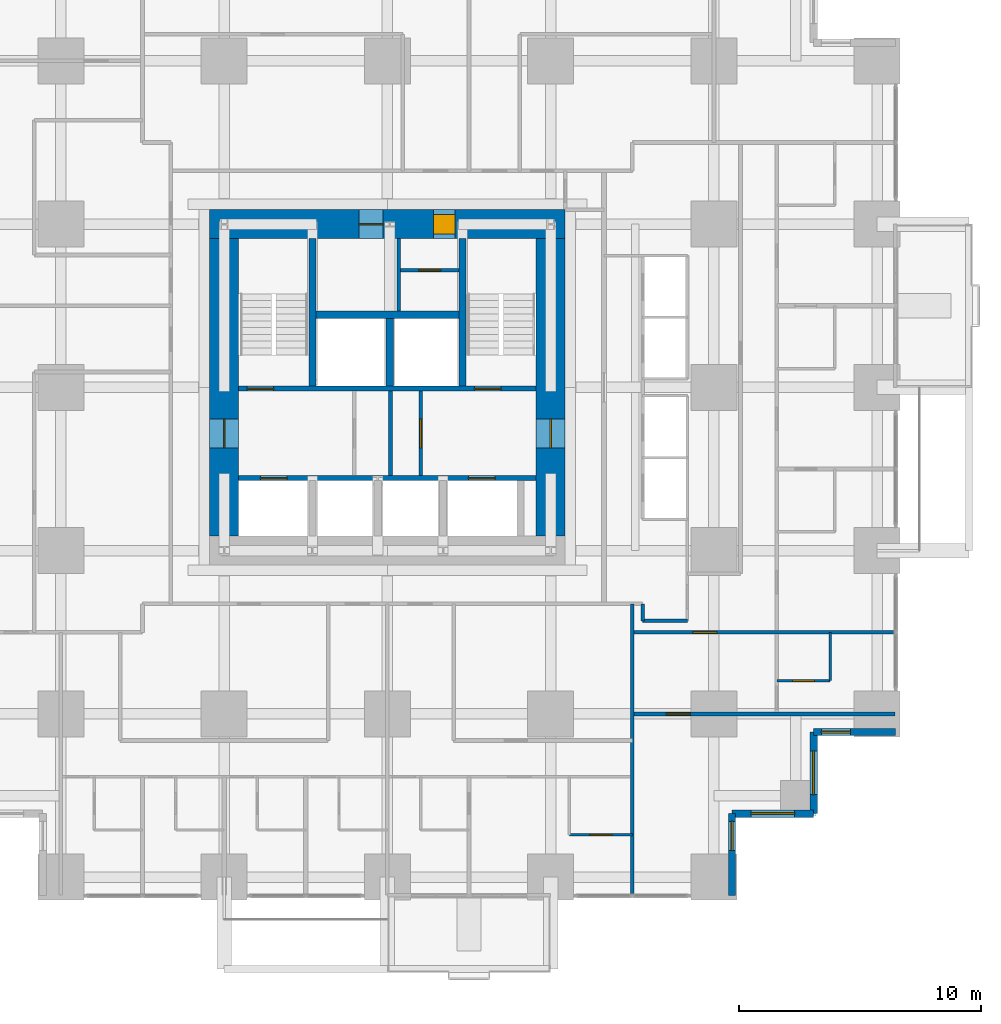
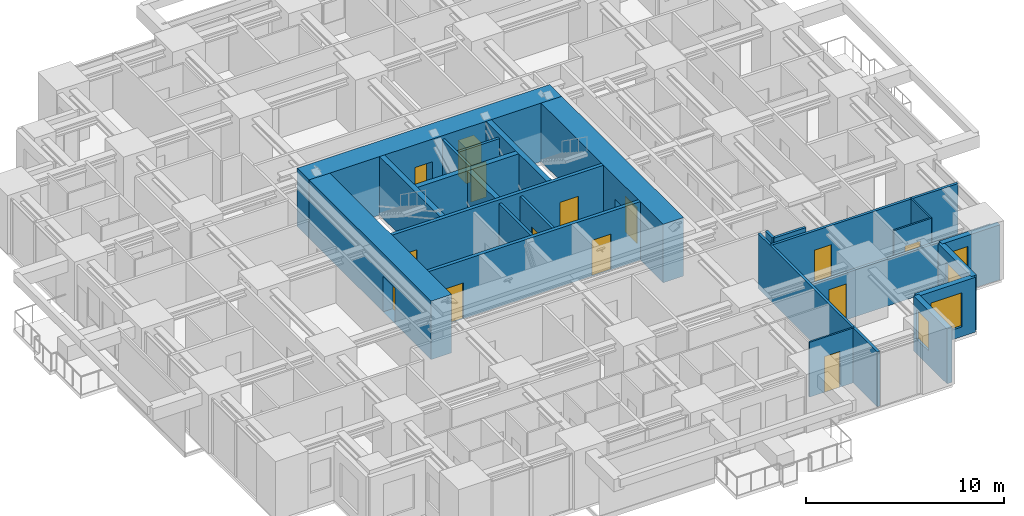
# One storey, part 10 of 14: 25 walls, 14 doors, 4 windows, 18 openings.
"""IFC4 building model written with IfcOpenShell, lengths in metres."""

from ifc_helpers import new_model, si_unit, direction, frame, frame_2d, origin, place, context, subcontext, project, spatial, rectangle, extrude, material, layer, layer_set, type_object, element, fill, save


model = new_model("IFC4")

# Units and contexts
model_context = context("Model", 3, precision=1e-05, world=origin(), true_north=direction((0.0, 1.0)))
body_context = subcontext(model_context, "Body", "Model", "MODEL_VIEW")
ifc_project = project(units=[si_unit("LENGTHUNIT", "METRE"), si_unit("AREAUNIT", "SQUARE_METRE"), si_unit("VOLUMEUNIT", "CUBIC_METRE"), si_unit("PLANEANGLEUNIT", "RADIAN"), si_unit("MASSUNIT", "GRAM", prefix="KILO")], contexts=[model_context])

# Site, building, storey
site_placement = place(None, origin())
site = spatial("IfcSite", under=ifc_project, at=site_placement, CompositionType="ELEMENT")
building_placement = place(site_placement, origin())
building = spatial("IfcBuilding", under=site, at=building_placement, Name="Nyansa Garden Tower", CompositionType="ELEMENT")
storey_placement = place(building_placement, frame((0.0, 0.0, 43.199951171875)))
storey = spatial("IfcBuildingStorey", under=building, at=storey_placement, Name="L11", CompositionType="ELEMENT", Elevation=43.199951171875)

# Wall, openings, doors
ifc_material_1 = material(Name="Concrete C70/85", Category="concrete")
ifc_layer_1 = layer(ifc_material_1, 0.199951171875)
ifc_layer_set_1 = layer_set([ifc_layer_1], Name="Core inner wall CI200")
wall_type_1 = type_object("IfcWallType", Name="Core inner wall CI200", PredefinedType="SHEAR", material=ifc_layer_set_1)
wall_1_placement = place(storey_placement, frame((14.10009765625, 16.5, 0.0), z_axis=(0.0, 0.0, 1.0), x_axis=(1.0, 0.0, 0.0)))
wall_1 = element("IfcWall", 1, at=wall_1_placement, inside=storey, type_object=wall_type_1, Name="Core inner wall L11", PredefinedType="SHEAR", context=body_context, shape_type="SweptSolid", body=[
    extrude(rectangle(XDim=12.2998046875, YDim=0.199951171875, at=frame_2d((6.14990234375, 0.0))), origin(), (0.0, 0.0, 1.0), 3.60009765625),
])
opening_1_placement = place(wall_1_placement, frame((0.89990234375, 0.0, 0.0)))
opening_1 = element("IfcOpeningElement", 2, at=opening_1_placement, cuts=wall_1, Name="Opening LD-F", PredefinedType="OPENING", context=body_context, shape_type="SweptSolid", body=[
    extrude(rectangle(XDim=1.10009765625, YDim=2.199951171875, at=frame_2d((0.550048828125, 1.10009765625))), frame((0.0, 0.10986328125, 0.0), z_axis=(0.0, -1.0, 0.0), x_axis=(1.0, 0.0, 0.0)), (0.0, 0.0, 1.0), 0.219970703125),
])
opening_2_placement = place(wall_1_placement, frame((9.5, 0.0, 0.0)))
opening_2 = element("IfcOpeningElement", 3, at=opening_2_placement, cuts=wall_1, Name="Opening LD-F", PredefinedType="OPENING", context=body_context, shape_type="SweptSolid", body=[
    extrude(rectangle(XDim=1.10009765625, YDim=2.199951171875, at=frame_2d((0.550048828125, 1.10009765625))), frame((0.0, 0.10986328125, 0.0), z_axis=(0.0, -1.0, 0.0), x_axis=(1.0, 0.0, 0.0)), (0.0, 0.0, 1.0), 0.219970703125),
])
ifc_material_2 = material(Name="Stainless steel centre-opening landing door of the firefighting lift, EN 81-72, E 120", Category="steel")
door_type_1 = type_object("IfcDoorType", Name="Lift landing door LD-F 1100x2200", OperationType="DOUBLE_DOOR_SLIDING", PredefinedType="DOOR", material=ifc_material_2)
door_1_placement = place(opening_1_placement, origin())
door_1 = element("IfcDoor", 4, at=door_1_placement, inside=storey, type_object=door_type_1, Name="Landing door FF1", OperationType="DOUBLE_DOOR_SLIDING", OverallHeight=2.199951171875, OverallWidth=1.10009765625, PredefinedType="DOOR", context=body_context, shape_type="SweptSolid", body=[
    extrude(rectangle(XDim=1.10009765625, YDim=2.199951171875, at=frame_2d((0.550048828125, 1.10009765625))), frame((0.0, 0.02490234375, 0.0), z_axis=(0.0, -1.0, 0.0), x_axis=(1.0, 0.0, 0.0)), (0.0, 0.0, 1.0), 0.050048828125),
])
fill(opening_1, door_1)
door_2_placement = place(opening_2_placement, origin())
door_2 = element("IfcDoor", 5, at=door_2_placement, inside=storey, type_object=door_type_1, Name="Landing door FF2", OperationType="DOUBLE_DOOR_SLIDING", OverallHeight=2.199951171875, OverallWidth=1.10009765625, PredefinedType="DOOR", context=body_context, shape_type="SweptSolid", body=[
    extrude(rectangle(XDim=1.10009765625, YDim=2.199951171875, at=frame_2d((0.550048828125, 1.10009765625))), frame((0.0, 0.02490234375, 0.0), z_axis=(0.0, -1.0, 0.0), x_axis=(1.0, 0.0, 0.0)), (0.0, 0.0, 1.0), 0.050048828125),
])
fill(opening_2, door_2)

wall_2_placement = place(storey_placement, frame((14.10009765625, 20.199951171875, 0.0), z_axis=(0.0, 0.0, 1.0), x_axis=(1.0, 0.0, 0.0)))
wall_2 = element("IfcWall", 6, at=wall_2_placement, inside=storey, type_object=wall_type_1, Name="Core inner wall L11", PredefinedType="SHEAR", context=body_context, shape_type="SweptSolid", body=[
    extrude(rectangle(XDim=12.2998046875, YDim=0.199951171875, at=frame_2d((6.14990234375, 0.0))), origin(), (0.0, 0.0, 1.0), 3.60009765625),
])
opening_3_placement = place(wall_2_placement, frame((0.35009765625, 0.0, 0.0)))
opening_3 = element("IfcOpeningElement", 7, at=opening_3_placement, cuts=wall_2, Name="Opening D05", PredefinedType="OPENING", context=body_context, shape_type="SweptSolid", body=[
    extrude(rectangle(XDim=1.10009765625, YDim=2.199951171875, at=frame_2d((0.550048828125, 1.10009765625))), frame((0.0, 0.10986328125, 0.0), z_axis=(0.0, -1.0, 0.0), x_axis=(1.0, 0.0, 0.0)), (0.0, 0.0, 1.0), 0.219970703125),
])
opening_4_placement = place(wall_2_placement, frame((9.75, 0.0, 0.0)))
opening_4 = element("IfcOpeningElement", 8, at=opening_4_placement, cuts=wall_2, Name="Opening D05", PredefinedType="OPENING", context=body_context, shape_type="SweptSolid", body=[
    extrude(rectangle(XDim=1.10009765625, YDim=2.199951171875, at=frame_2d((0.550048828125, 1.10009765625))), frame((0.0, 0.10986328125, 0.0), z_axis=(0.0, -1.0, 0.0), x_axis=(1.0, 0.0, 0.0)), (0.0, 0.0, 1.0), 0.219970703125),
])
ifc_material_3 = material(Name="Steel door, 120 minute fire resisting", Category="steel")
door_type_2 = type_object("IfcDoorType", Name="Stair door D05 1100x2200", OperationType="SINGLE_SWING_LEFT", PredefinedType="DOOR", material=ifc_material_3)
door_3_placement = place(opening_3_placement, origin())
door_3 = element("IfcDoor", 9, at=door_3_placement, inside=storey, type_object=door_type_2, Name="Stair S1 door", OperationType="SINGLE_SWING_LEFT", OverallHeight=2.199951171875, OverallWidth=1.10009765625, PredefinedType="DOOR", context=body_context, shape_type="SweptSolid", body=[
    extrude(rectangle(XDim=1.10009765625, YDim=2.199951171875, at=frame_2d((0.550048828125, 1.10009765625))), frame((0.0, 0.02490234375, 0.0), z_axis=(0.0, -1.0, 0.0), x_axis=(1.0, 0.0, 0.0)), (0.0, 0.0, 1.0), 0.050048828125),
])
fill(opening_3, door_3)
door_4_placement = place(opening_4_placement, origin())
door_4 = element("IfcDoor", 10, at=door_4_placement, inside=storey, type_object=door_type_2, Name="Stair S2 door", OperationType="SINGLE_SWING_LEFT", OverallHeight=2.199951171875, OverallWidth=1.10009765625, PredefinedType="DOOR", context=body_context, shape_type="SweptSolid", body=[
    extrude(rectangle(XDim=1.10009765625, YDim=2.199951171875, at=frame_2d((0.550048828125, 1.10009765625))), frame((0.0, 0.02490234375, 0.0), z_axis=(0.0, -1.0, 0.0), x_axis=(1.0, 0.0, 0.0)), (0.0, 0.0, 1.0), 0.050048828125),
])
fill(opening_4, door_4)

# Walls
ifc_material_4 = material(Name="Concrete C70/85", Category="concrete")
ifc_layer_2 = layer(ifc_material_4, 0.300048828125)
ifc_layer_set_2 = layer_set([ifc_layer_2], Name="Core inner wall CI300")
wall_type_2 = type_object("IfcWallType", Name="Core inner wall CI300", PredefinedType="SHEAR", material=ifc_layer_set_2)
for number, where, z_axis, x_axis, name in (
    (11, (17.14990234375, 20.300048828125, 0.0), (0.0, 0.0, 1.0), (0.0, 1.0, 0.0), "Core inner wall L11"),
    (12, (23.35009765625, 20.300048828125, 0.0), (0.0, 0.0, 1.0), (0.0, 1.0, 0.0), "Core inner wall L11"),
):
    element("IfcWall", number, at=place(storey_placement, frame(where, z_axis=z_axis, x_axis=x_axis)), inside=storey, type_object=wall_type_2, Name=name, PredefinedType="SHEAR", context=body_context, shape_type="SweptSolid", body=[
        extrude(rectangle(XDim=6.099853515625, YDim=0.300048828125, at=frame_2d((3.0498046875, 0.0))), origin(), (0.0, 0.0, 1.0), 3.60009765625),
    ])
wall_3_placement = place(storey_placement, frame((20.35009765625, 20.300048828125, 0.0), z_axis=(0.0, 0.0, 1.0), x_axis=(0.0, 1.0, 0.0)))
element("IfcWall", 13, at=wall_3_placement, inside=storey, type_object=wall_type_2, Name="Core inner wall L11", PredefinedType="SHEAR", context=body_context, shape_type="SweptSolid", body=[
    extrude(rectangle(XDim=2.800048828125, YDim=0.300048828125, at=frame_2d((1.39990234375, 0.0))), origin(), (0.0, 0.0, 1.0), 3.60009765625),
])
wall_4_placement = place(storey_placement, frame((17.300048828125, 23.25, 0.0), z_axis=(0.0, 0.0, 1.0), x_axis=(1.0, 0.0, 0.0)))
element("IfcWall", 14, at=wall_4_placement, inside=storey, type_object=wall_type_2, Name="Core inner wall L11", PredefinedType="SHEAR", context=body_context, shape_type="SweptSolid", body=[
    extrude(rectangle(XDim=5.89990234375, YDim=0.300048828125, at=frame_2d((2.949951171875, 0.0))), origin(), (0.0, 0.0, 1.0), 3.60009765625),
])

# Wall, opening, door
ifc_material_5 = material(Name="Concrete C80/95", Category="concrete")
ifc_layer_3 = layer(ifc_material_5, 1.199951171875)
ifc_layer_set_3 = layer_set([ifc_layer_3], Name="Core wall CW1200")
wall_type_3 = type_object("IfcWallType", Name="Core wall CW1200", PredefinedType="SHEAR", material=ifc_layer_set_3)
wall_5_placement = place(storey_placement, frame((27.0, 14.10009765625, 0.0), z_axis=(0.0, 0.0, 1.0), x_axis=(0.0, 1.0, 0.0)))
wall_5 = element("IfcWall", 15, at=wall_5_placement, inside=storey, type_object=wall_type_3, Name="Core wall E L11", PredefinedType="SHEAR", context=body_context, shape_type="SweptSolid", body=[
    extrude(rectangle(XDim=12.2998046875, YDim=1.199951171875, at=frame_2d((6.14990234375, 0.0))), origin(), (0.0, 0.0, 1.0), 3.60009765625),
])
opening_5_placement = place(wall_5_placement, frame((3.64990234375, 0.0, 0.0)))
opening_5 = element("IfcOpeningElement", 16, at=opening_5_placement, cuts=wall_5, Name="Opening D06", PredefinedType="OPENING", context=body_context, shape_type="SweptSolid", body=[
    extrude(rectangle(XDim=1.199951171875, YDim=2.199951171875, at=frame_2d((0.60009765625, 1.10009765625))), frame((0.0, 0.60986328125, 0.0), z_axis=(0.0, -1.0, 0.0), x_axis=(1.0, 0.0, 0.0)), (0.0, 0.0, 1.0), 1.219970703125),
])
ifc_material_6 = material(Name="Steel door, 120 minute fire resisting", Category="steel")
door_type_3 = type_object("IfcDoorType", Name="Lobby door D06 1200x2200", OperationType="DOUBLE_DOOR_SINGLE_SWING", PredefinedType="DOOR", material=ifc_material_6)
door_5_placement = place(opening_5_placement, origin())
door_5 = element("IfcDoor", 17, at=door_5_placement, inside=storey, type_object=door_type_3, Name="Lift lobby door east", OperationType="DOUBLE_DOOR_SINGLE_SWING", OverallHeight=2.199951171875, OverallWidth=1.199951171875, PredefinedType="DOOR", context=body_context, shape_type="SweptSolid", body=[
    extrude(rectangle(XDim=1.199951171875, YDim=2.199951171875, at=frame_2d((0.60009765625, 1.10009765625))), frame((0.0, 0.02490234375, 0.0), z_axis=(0.0, -1.0, 0.0), x_axis=(1.0, 0.0, 0.0)), (0.0, 0.0, 1.0), 0.050048828125),
])
fill(opening_5, door_5)

# Wall, openings, doors
wall_6_placement = place(storey_placement, frame((27.60009765625, 27.0, 0.0), z_axis=(0.0, 0.0, 1.0), x_axis=(-1.0, 0.0, 0.0)))
wall_6 = element("IfcWall", 18, at=wall_6_placement, inside=storey, type_object=wall_type_3, Name="Core wall N L11", PredefinedType="SHEAR", context=body_context, shape_type="SweptSolid", body=[
    extrude(rectangle(XDim=14.7001953125, YDim=1.199951171875, at=frame_2d((7.35009765625, 0.0))), origin(), (0.0, 0.0, 1.0), 3.60009765625),
])
opening_6_placement = place(wall_6_placement, frame((4.550048828125, 0.0, 0.0)))
opening_6 = element("IfcOpeningElement", 19, at=opening_6_placement, cuts=wall_6, Name="Opening D15", PredefinedType="OPENING", context=body_context, shape_type="SweptSolid", body=[
    extrude(rectangle(XDim=0.89990234375, YDim=2.199951171875, at=frame_2d((0.449951171875, 1.10009765625))), frame((0.0, 0.60986328125, 0.0), z_axis=(0.0, -1.0, 0.0), x_axis=(1.0, 0.0, 0.0)), (0.0, 0.0, 1.0), 1.219970703125),
])
opening_7_placement = place(wall_6_placement, frame((7.52490234375, 0.0, 0.0)))
opening_7 = element("IfcOpeningElement", 20, at=opening_7_placement, cuts=wall_6, Name="Opening D07", PredefinedType="OPENING", context=body_context, shape_type="SweptSolid", body=[
    extrude(rectangle(XDim=1.0, YDim=2.199951171875, at=frame_2d((0.5, 1.10009765625))), frame((0.0, 0.60986328125, 0.0), z_axis=(0.0, -1.0, 0.0), x_axis=(1.0, 0.0, 0.0)), (0.0, 0.0, 1.0), 1.219970703125),
])
ifc_material_7 = material(Name="Timber flush door, 60 minute fire resisting, self-closing", Category="wood")
door_type_4 = type_object("IfcDoorType", Name="Core room door D15 900x2200", OperationType="SINGLE_SWING_LEFT", PredefinedType="DOOR", material=ifc_material_7)
door_6_placement = place(opening_6_placement, origin())
door_6 = element("IfcDoor", 21, at=door_6_placement, inside=storey, type_object=door_type_4, Name="Core room door", OperationType="SINGLE_SWING_LEFT", OverallHeight=2.199951171875, OverallWidth=0.89990234375, PredefinedType="DOOR", context=body_context, shape_type="SweptSolid", body=[
    extrude(rectangle(XDim=0.89990234375, YDim=2.199951171875, at=frame_2d((0.449951171875, 1.10009765625))), frame((0.0, 0.39990234375, 0.0), z_axis=(0.0, -1.0, 0.0), x_axis=(1.0, 0.0, 0.0)), (0.0, 0.0, 1.0), 0.800048828125),
])
fill(opening_6, door_6)
ifc_material_8 = material(Name="Steel door, 120 minute fire resisting", Category="steel")
door_type_5 = type_object("IfcDoorType", Name="Riser door D07 1000x2200", OperationType="SINGLE_SWING_LEFT", PredefinedType="DOOR", material=ifc_material_8)
door_7_placement = place(opening_7_placement, origin())
door_7 = element("IfcDoor", 22, at=door_7_placement, inside=storey, type_object=door_type_5, Name="Riser and refuse room door", OperationType="SINGLE_SWING_LEFT", OverallHeight=2.199951171875, OverallWidth=1.0, PredefinedType="DOOR", context=body_context, shape_type="SweptSolid", body=[
    extrude(rectangle(XDim=1.0, YDim=2.199951171875, at=frame_2d((0.5, 1.10009765625))), frame((0.0, 0.02490234375, 0.0), z_axis=(0.0, -1.0, 0.0), x_axis=(1.0, 0.0, 0.0)), (0.0, 0.0, 1.0), 0.050048828125),
])
fill(opening_7, door_7)

# Wall, opening, door
wall_7_placement = place(storey_placement, frame((13.5, 26.39990234375, 0.0), z_axis=(0.0, 0.0, 1.0), x_axis=(0.0, -1.0, 0.0)))
wall_7 = element("IfcWall", 23, at=wall_7_placement, inside=storey, type_object=wall_type_3, Name="Core wall W L11", PredefinedType="SHEAR", context=body_context, shape_type="SweptSolid", body=[
    extrude(rectangle(XDim=12.2998046875, YDim=1.199951171875, at=frame_2d((6.14990234375, 0.0))), origin(), (0.0, 0.0, 1.0), 3.60009765625),
])
opening_8_placement = place(wall_7_placement, frame((7.449951171875, 0.0, 0.0)))
opening_8 = element("IfcOpeningElement", 24, at=opening_8_placement, cuts=wall_7, Name="Opening D06", PredefinedType="OPENING", context=body_context, shape_type="SweptSolid", body=[
    extrude(rectangle(XDim=1.199951171875, YDim=2.199951171875, at=frame_2d((0.60009765625, 1.10009765625))), frame((0.0, 0.60986328125, 0.0), z_axis=(0.0, -1.0, 0.0), x_axis=(1.0, 0.0, 0.0)), (0.0, 0.0, 1.0), 1.219970703125),
])
door_8_placement = place(opening_8_placement, origin())
door_8 = element("IfcDoor", 25, at=door_8_placement, inside=storey, type_object=door_type_3, Name="Lift lobby door west", OperationType="DOUBLE_DOOR_SINGLE_SWING", OverallHeight=2.199951171875, OverallWidth=1.199951171875, PredefinedType="DOOR", context=body_context, shape_type="SweptSolid", body=[
    extrude(rectangle(XDim=1.199951171875, YDim=2.199951171875, at=frame_2d((0.60009765625, 1.10009765625))), frame((0.0, 0.02490234375, 0.0), z_axis=(0.0, -1.0, 0.0), x_axis=(1.0, 0.0, 0.0)), (0.0, 0.0, 1.0), 0.050048828125),
])
fill(opening_8, door_8)

ifc_material_9 = material(Name="Blockwork, plastered both sides", Category="masonry")
ifc_layer_4 = layer(ifc_material_9, 0.14990234375)
ifc_layer_set_4 = layer_set([ifc_layer_4], Name="Partition PW150")
wall_type_4 = type_object("IfcWallType", Name="Partition PW150", PredefinedType="PARTITIONING", material=ifc_layer_set_4)
wall_8_placement = place(storey_placement, frame((21.625, 16.60009765625, 0.0), z_axis=(0.0, 0.0, 1.0), x_axis=(0.0, 1.0, 0.0)))
wall_8 = element("IfcWall", 26, at=wall_8_placement, inside=storey, type_object=wall_type_4, Name="Partition", PredefinedType="PARTITIONING", context=body_context, shape_type="SweptSolid", body=[
    extrude(rectangle(XDim=3.5, YDim=0.14990234375, at=frame_2d((1.75, 0.0))), origin(), (0.0, 0.0, 1.0), 3.375),
])
opening_9_placement = place(wall_8_placement, frame((1.14990234375, 0.0, 0.0)))
opening_9 = element("IfcOpeningElement", 27, at=opening_9_placement, cuts=wall_8, Name="Opening D06", PredefinedType="OPENING", context=body_context, shape_type="SweptSolid", body=[
    extrude(rectangle(XDim=1.199951171875, YDim=2.199951171875, at=frame_2d((0.60009765625, 1.10009765625))), frame((0.0, 0.0849609375, 0.0), z_axis=(0.0, -1.0, 0.0), x_axis=(1.0, 0.0, 0.0)), (0.0, 0.0, 1.0), 0.169921875),
])
door_9_placement = place(opening_9_placement, origin())
door_9 = element("IfcDoor", 28, at=door_9_placement, inside=storey, type_object=door_type_3, Name="Passenger lift lobby door", OperationType="DOUBLE_DOOR_SINGLE_SWING", OverallHeight=2.199951171875, OverallWidth=1.199951171875, PredefinedType="DOOR", context=body_context, shape_type="SweptSolid", body=[
    extrude(rectangle(XDim=1.199951171875, YDim=2.199951171875, at=frame_2d((0.60009765625, 1.10009765625))), frame((0.0, 0.02490234375, 0.0), z_axis=(0.0, -1.0, 0.0), x_axis=(1.0, 0.0, 0.0)), (0.0, 0.0, 1.0), 0.050048828125),
])
fill(opening_9, door_9)

# Walls
wall_9_placement = place(storey_placement, frame((20.3798828125, 16.60009765625, 0.0), z_axis=(0.0, 0.0, 1.0), x_axis=(0.0, 1.0, 0.0)))
element("IfcWall", 29, at=wall_9_placement, inside=storey, type_object=wall_type_4, Name="Partition", PredefinedType="PARTITIONING", context=body_context, shape_type="SweptSolid", body=[
    extrude(rectangle(XDim=3.5, YDim=0.14990234375, at=frame_2d((1.75, 0.0))), origin(), (0.0, 0.0, 1.0), 3.375),
])
wall_10_placement = place(storey_placement, frame((20.72509765625, 23.39990234375, 0.0), z_axis=(0.0, 0.0, 1.0), x_axis=(0.0, 1.0, 0.0)))
element("IfcWall", 30, at=wall_10_placement, inside=storey, type_object=wall_type_4, Name="Partition", PredefinedType="PARTITIONING", context=body_context, shape_type="SweptSolid", body=[
    extrude(rectangle(XDim=3.0, YDim=0.14990234375, at=frame_2d((1.5, 0.0))), origin(), (0.0, 0.0, 1.0), 3.375),
])

# Wall, opening, door
wall_11_placement = place(storey_placement, frame((20.800048828125, 25.10009765625, 0.0), z_axis=(0.0, 0.0, 1.0), x_axis=(1.0, 0.0, 0.0)))
wall_11 = element("IfcWall", 31, at=wall_11_placement, inside=storey, type_object=wall_type_4, Name="Partition", PredefinedType="PARTITIONING", context=body_context, shape_type="SweptSolid", body=[
    extrude(rectangle(XDim=2.39990234375, YDim=0.14990234375, at=frame_2d((1.199951171875, 0.0))), origin(), (0.0, 0.0, 1.0), 3.375),
])
opening_10_placement = place(wall_11_placement, frame((0.75, 0.0, 0.0)))
opening_10 = element("IfcOpeningElement", 32, at=opening_10_placement, cuts=wall_11, Name="Opening D02", PredefinedType="OPENING", context=body_context, shape_type="SweptSolid", body=[
    extrude(rectangle(XDim=0.89990234375, YDim=2.199951171875, at=frame_2d((0.449951171875, 1.10009765625))), frame((0.0, 0.0849609375, 0.0), z_axis=(0.0, -1.0, 0.0), x_axis=(1.0, 0.0, 0.0)), (0.0, 0.0, 1.0), 0.169921875),
])
ifc_material_10 = material(Name="Timber flush door", Category="wood")
door_type_6 = type_object("IfcDoorType", Name="En-suite door D02 900x2200", OperationType="SINGLE_SWING_RIGHT", PredefinedType="DOOR", material=ifc_material_10)
door_10_placement = place(opening_10_placement, origin())
door_10 = element("IfcDoor", 33, at=door_10_placement, inside=storey, type_object=door_type_6, Name="Staff WC door", OperationType="SINGLE_SWING_RIGHT", OverallHeight=2.199951171875, OverallWidth=0.89990234375, PredefinedType="DOOR", context=body_context, shape_type="SweptSolid", body=[
    extrude(rectangle(XDim=0.89990234375, YDim=2.199951171875, at=frame_2d((0.449951171875, 1.10009765625))), frame((0.0, 0.02490234375, 0.0), z_axis=(0.0, -1.0, 0.0), x_axis=(1.0, 0.0, 0.0)), (0.0, 0.0, 1.0), 0.050048828125),
])
fill(opening_10, door_10)

# Wall
wall_12_placement = place(storey_placement, frame((30.375, -0.73388671875, 0.0), z_axis=(0.0, 0.0, 1.0), x_axis=(0.0, 1.0, 0.0)))
element("IfcWall", 34, at=wall_12_placement, inside=storey, type_object=wall_type_4, Name="Partition", PredefinedType="PARTITIONING", context=body_context, shape_type="SweptSolid", body=[
    extrude(rectangle(XDim=12.033935546875, YDim=0.14990234375, at=frame_2d((6.01708984375, 0.0))), origin(), (0.0, 0.0, 1.0), 3.375),
])

# Wall, opening, door
wall_13_placement = place(storey_placement, frame((30.375, 6.75, 0.0), z_axis=(0.0, 0.0, 1.0), x_axis=(1.0, 0.0, 0.0)))
wall_13 = element("IfcWall", 35, at=wall_13_placement, inside=storey, type_object=wall_type_4, Name="Partition", PredefinedType="PARTITIONING", context=body_context, shape_type="SweptSolid", body=[
    extrude(rectangle(XDim=10.85888671875, YDim=0.14990234375, at=frame_2d((5.429443359375, 0.0))), origin(), (0.0, 0.0, 1.0), 2.876953125),
])
opening_11_placement = place(wall_13_placement, frame((1.39990234375, 0.0, 0.0)))
opening_11 = element("IfcOpeningElement", 36, at=opening_11_placement, cuts=wall_13, Name="Opening D03", PredefinedType="OPENING", context=body_context, shape_type="SweptSolid", body=[
    extrude(rectangle(XDim=1.0, YDim=2.199951171875, at=frame_2d((0.5, 1.10009765625))), frame((0.0, 0.0849609375, 0.0), z_axis=(0.0, -1.0, 0.0), x_axis=(1.0, 0.0, 0.0)), (0.0, 0.0, 1.0), 0.169921875),
])
ifc_material_11 = material(Name="Timber flush door, 60 minute fire resisting", Category="wood")
door_type_7 = type_object("IfcDoorType", Name="Cluster entrance door D03 1000x2200", OperationType="SINGLE_SWING_LEFT", PredefinedType="DOOR", material=ifc_material_11)
door_11_placement = place(opening_11_placement, origin())
door_11 = element("IfcDoor", 37, at=door_11_placement, inside=storey, type_object=door_type_7, Name="Door L11-036", OperationType="SINGLE_SWING_LEFT", OverallHeight=2.199951171875, OverallWidth=1.0, PredefinedType="DOOR", context=body_context, shape_type="SweptSolid", body=[
    extrude(rectangle(XDim=1.0, YDim=2.199951171875, at=frame_2d((0.5, 1.10009765625))), frame((0.0, 0.02490234375, 0.0), z_axis=(0.0, -1.0, 0.0), x_axis=(1.0, 0.0, 0.0)), (0.0, 0.0, 1.0), 0.050048828125),
])
fill(opening_11, door_11)

wall_14_placement = place(storey_placement, frame((30.375, 10.125, 0.0), z_axis=(0.0, 0.0, 1.0), x_axis=(1.0, 0.0, 0.0)))
wall_14 = element("IfcWall", 38, at=wall_14_placement, inside=storey, type_object=wall_type_4, Name="Partition", PredefinedType="PARTITIONING", context=body_context, shape_type="SweptSolid", body=[
    extrude(rectangle(XDim=10.85888671875, YDim=0.14990234375, at=frame_2d((5.429443359375, 0.0))), origin(), (0.0, 0.0, 1.0), 3.375),
])
opening_12_placement = place(wall_14_placement, frame((2.5, 0.0, 0.0)))
opening_12 = element("IfcOpeningElement", 39, at=opening_12_placement, cuts=wall_14, Name="Opening D03", PredefinedType="OPENING", context=body_context, shape_type="SweptSolid", body=[
    extrude(rectangle(XDim=1.0, YDim=2.199951171875, at=frame_2d((0.5, 1.10009765625))), frame((0.0, 0.0849609375, 0.0), z_axis=(0.0, -1.0, 0.0), x_axis=(1.0, 0.0, 0.0)), (0.0, 0.0, 1.0), 0.169921875),
])
door_12_placement = place(opening_12_placement, origin())
door_12 = element("IfcDoor", 40, at=door_12_placement, inside=storey, type_object=door_type_7, Name="Door L11-039", OperationType="SINGLE_SWING_LEFT", OverallHeight=2.199951171875, OverallWidth=1.0, PredefinedType="DOOR", context=body_context, shape_type="SweptSolid", body=[
    extrude(rectangle(XDim=1.0, YDim=2.199951171875, at=frame_2d((0.5, 1.10009765625))), frame((0.0, 0.02490234375, 0.0), z_axis=(0.0, -1.0, 0.0), x_axis=(1.0, 0.0, 0.0)), (0.0, 0.0, 1.0), 0.050048828125),
])
fill(opening_12, door_12)

# Walls
wall_15_placement = place(storey_placement, frame((30.800048828125, 10.60009765625, 0.0), z_axis=(0.0, 0.0, 1.0), x_axis=(0.0, 1.0, 0.0)))
element("IfcWall", 41, at=wall_15_placement, inside=storey, type_object=wall_type_4, Name="Partition", PredefinedType="PARTITIONING", context=body_context, shape_type="SweptSolid", body=[
    extrude(rectangle(XDim=0.699951171875, YDim=0.14990234375, at=frame_2d((0.35009765625, 0.0))), origin(), (0.0, 0.0, 1.0), 3.375),
])
wall_16_placement = place(storey_placement, frame((30.800048828125, 10.60009765625, 0.0), z_axis=(0.0, 0.0, 1.0), x_axis=(1.0, 0.0, 0.0)))
element("IfcWall", 42, at=wall_16_placement, inside=storey, type_object=wall_type_4, Name="Partition", PredefinedType="PARTITIONING", context=body_context, shape_type="SweptSolid", body=[
    extrude(rectangle(XDim=1.849853515625, YDim=0.14990234375, at=frame_2d((0.9248046875, 0.0))), origin(), (0.0, 0.0, 1.0), 3.375),
])

# Wall, opening, window
ifc_material_12 = material(Name="Turquoise glazed tile on concrete blockwork", Category="masonry")
ifc_layer_5 = layer(ifc_material_12, 0.300048828125)
ifc_layer_set_5 = layer_set([ifc_layer_5], Name="Tiled corner wall TW300")
wall_type_5 = type_object("IfcWallType", Name="Tiled corner wall TW300", PredefinedType="SOLIDWALL", material=ifc_layer_set_5)
wall_17_placement = place(storey_placement, frame((34.5, -0.75, 0.0), z_axis=(0.0, 0.0, 1.0), x_axis=(0.0, 1.0, 0.0)))
wall_17 = element("IfcWall", 43, at=wall_17_placement, inside=storey, type_object=wall_type_5, Name="Tiled corner wall L11", PredefinedType="SOLIDWALL", context=body_context, shape_type="SweptSolid", body=[
    extrude(rectangle(XDim=3.375, YDim=0.300048828125, at=frame_2d((1.6875, 0.0))), origin(), (0.0, 0.0, 1.0), 3.375),
])
opening_13_placement = place(wall_17_placement, frame((1.857421875, 0.0, 0.89990234375)))
opening_13 = element("IfcOpeningElement", 44, at=opening_13_placement, cuts=wall_17, Name="Opening W4", PredefinedType="OPENING", context=body_context, shape_type="SweptSolid", body=[
    extrude(rectangle(XDim=1.199951171875, YDim=1.800048828125, at=frame_2d((0.60009765625, 0.89990234375))), frame((0.0, 0.159912109375, 0.0), z_axis=(0.0, -1.0, 0.0), x_axis=(1.0, 0.0, 0.0)), (0.0, 0.0, 1.0), 0.320068359375),
])
ifc_material_13 = material(Name="Black aluminium frame, dark tinted double glazing", Category="aluminium")
window_type_1 = type_object("IfcWindowType", Name="Window W4 1200x1800", PartitioningType="SINGLE_PANEL", PredefinedType="WINDOW", material=ifc_material_13)
window_1_placement = place(opening_13_placement, origin())
window_1 = element("IfcWindow", 45, at=window_1_placement, inside=storey, type_object=window_type_1, Name="Corner window L11", OverallHeight=1.800048828125, OverallWidth=1.199951171875, PartitioningType="SINGLE_PANEL", PredefinedType="WINDOW", context=body_context, shape_type="SweptSolid", body=[
    extrude(rectangle(XDim=1.199951171875, YDim=1.800048828125, at=frame_2d((0.60009765625, 0.89990234375))), frame((0.0, 0.030029296875, 0.0), z_axis=(0.0, -1.0, 0.0), x_axis=(1.0, 0.0, 0.0)), (0.0, 0.0, 1.0), 0.06005859375),
])
fill(opening_13, window_1)

wall_18_placement = place(storey_placement, frame((34.5, 2.625, 0.0), z_axis=(0.0, 0.0, 1.0), x_axis=(1.0, 0.0, 0.0)))
wall_18 = element("IfcWall", 46, at=wall_18_placement, inside=storey, type_object=wall_type_5, Name="Tiled corner wall L11", PredefinedType="SOLIDWALL", context=body_context, shape_type="SweptSolid", body=[
    extrude(rectangle(XDim=3.375, YDim=0.300048828125, at=frame_2d((1.6875, 0.0))), origin(), (0.0, 0.0, 1.0), 3.375),
])
opening_14_placement = place(wall_18_placement, frame((0.78759765625, 0.0, 0.60009765625)))
opening_14 = element("IfcOpeningElement", 47, at=opening_14_placement, cuts=wall_18, Name="Opening W2", PredefinedType="OPENING", context=body_context, shape_type="SweptSolid", body=[
    extrude(rectangle(XDim=1.800048828125, YDim=2.10009765625, at=frame_2d((0.89990234375, 1.050048828125))), frame((0.0, 0.159912109375, 0.0), z_axis=(0.0, -1.0, 0.0), x_axis=(1.0, 0.0, 0.0)), (0.0, 0.0, 1.0), 0.320068359375),
])
ifc_material_14 = material(Name="Black aluminium frame, dark tinted double glazing", Category="aluminium")
window_type_2 = type_object("IfcWindowType", Name="Window W2 1800x2100", PartitioningType="SINGLE_PANEL", PredefinedType="WINDOW", material=ifc_material_14)
window_2_placement = place(opening_14_placement, origin())
window_2 = element("IfcWindow", 48, at=window_2_placement, inside=storey, type_object=window_type_2, Name="Corner window L11", OverallHeight=2.10009765625, OverallWidth=1.800048828125, PartitioningType="SINGLE_PANEL", PredefinedType="WINDOW", context=body_context, shape_type="SweptSolid", body=[
    extrude(rectangle(XDim=1.800048828125, YDim=2.10009765625, at=frame_2d((0.89990234375, 1.050048828125))), frame((0.0, 0.030029296875, 0.0), z_axis=(0.0, -1.0, 0.0), x_axis=(1.0, 0.0, 0.0)), (0.0, 0.0, 1.0), 0.06005859375),
])
fill(opening_14, window_2)

wall_19_placement = place(storey_placement, frame((37.875, 2.625, 0.0), z_axis=(0.0, 0.0, 1.0), x_axis=(0.0, 1.0, 0.0)))
wall_19 = element("IfcWall", 49, at=wall_19_placement, inside=storey, type_object=wall_type_5, Name="Tiled corner wall L11", PredefinedType="SOLIDWALL", context=body_context, shape_type="SweptSolid", body=[
    extrude(rectangle(XDim=3.375, YDim=0.300048828125, at=frame_2d((1.6875, 0.0))), origin(), (0.0, 0.0, 1.0), 3.375),
])
opening_15_placement = place(wall_19_placement, frame((0.78759765625, 0.0, 0.60009765625)))
opening_15 = element("IfcOpeningElement", 50, at=opening_15_placement, cuts=wall_19, Name="Opening W2", PredefinedType="OPENING", context=body_context, shape_type="SweptSolid", body=[
    extrude(rectangle(XDim=1.800048828125, YDim=2.10009765625, at=frame_2d((0.89990234375, 1.050048828125))), frame((0.0, 0.159912109375, 0.0), z_axis=(0.0, -1.0, 0.0), x_axis=(1.0, 0.0, 0.0)), (0.0, 0.0, 1.0), 0.320068359375),
])
window_3_placement = place(opening_15_placement, origin())
window_3 = element("IfcWindow", 51, at=window_3_placement, inside=storey, type_object=window_type_2, Name="Corner window L11", OverallHeight=2.10009765625, OverallWidth=1.800048828125, PartitioningType="SINGLE_PANEL", PredefinedType="WINDOW", context=body_context, shape_type="SweptSolid", body=[
    extrude(rectangle(XDim=1.800048828125, YDim=2.10009765625, at=frame_2d((0.89990234375, 1.050048828125))), frame((0.0, 0.030029296875, 0.0), z_axis=(0.0, -1.0, 0.0), x_axis=(1.0, 0.0, 0.0)), (0.0, 0.0, 1.0), 0.06005859375),
])
fill(opening_15, window_3)

wall_20_placement = place(storey_placement, frame((37.875, 6.0, 0.0), z_axis=(0.0, 0.0, 1.0), x_axis=(1.0, 0.0, 0.0)))
wall_20 = element("IfcWall", 52, at=wall_20_placement, inside=storey, type_object=wall_type_5, Name="Tiled corner wall L11", PredefinedType="SOLIDWALL", context=body_context, shape_type="SweptSolid", body=[
    extrude(rectangle(XDim=3.375, YDim=0.300048828125, at=frame_2d((1.6875, 0.0))), origin(), (0.0, 0.0, 1.0), 3.375),
])
opening_16_placement = place(wall_20_placement, frame((0.3173828125, 0.0, 0.89990234375)))
opening_16 = element("IfcOpeningElement", 53, at=opening_16_placement, cuts=wall_20, Name="Opening W4", PredefinedType="OPENING", context=body_context, shape_type="SweptSolid", body=[
    extrude(rectangle(XDim=1.199951171875, YDim=1.800048828125, at=frame_2d((0.60009765625, 0.89990234375))), frame((0.0, 0.159912109375, 0.0), z_axis=(0.0, -1.0, 0.0), x_axis=(1.0, 0.0, 0.0)), (0.0, 0.0, 1.0), 0.320068359375),
])
window_4_placement = place(opening_16_placement, origin())
window_4 = element("IfcWindow", 54, at=window_4_placement, inside=storey, type_object=window_type_1, Name="Corner window L11", OverallHeight=1.800048828125, OverallWidth=1.199951171875, PartitioningType="SINGLE_PANEL", PredefinedType="WINDOW", context=body_context, shape_type="SweptSolid", body=[
    extrude(rectangle(XDim=1.199951171875, YDim=1.800048828125, at=frame_2d((0.60009765625, 0.89990234375))), frame((0.0, 0.030029296875, 0.0), z_axis=(0.0, -1.0, 0.0), x_axis=(1.0, 0.0, 0.0)), (0.0, 0.0, 1.0), 0.06005859375),
])
fill(opening_16, window_4)

# Wall, opening, door
ifc_material_15 = material(Name="Moisture resistant board on steel studs, tiled", Category="steel")
ifc_layer_6 = layer(ifc_material_15, 0.10009765625)
ifc_layer_set_6 = layer_set([ifc_layer_6], Name="Wet wall PW100")
wall_type_6 = type_object("IfcWallType", Name="Wet wall PW100", PredefinedType="PARTITIONING", material=ifc_layer_set_6)
wall_21_placement = place(storey_placement, frame((27.77490234375, 1.75, 0.0), z_axis=(0.0, 0.0, 1.0), x_axis=(1.0, 0.0, 0.0)))
wall_21 = element("IfcWall", 55, at=wall_21_placement, inside=storey, type_object=wall_type_6, Name="Wet wall", PredefinedType="PARTITIONING", context=body_context, shape_type="SweptSolid", body=[
    extrude(rectangle(XDim=2.60009765625, YDim=0.10009765625, at=frame_2d((1.300048828125, 0.0))), origin(), (0.0, 0.0, 1.0), 3.375),
])
opening_17_placement = place(wall_21_placement, frame((0.85009765625, 0.0, 0.0)))
opening_17 = element("IfcOpeningElement", 56, at=opening_17_placement, cuts=wall_21, Name="Opening D02", PredefinedType="OPENING", context=body_context, shape_type="SweptSolid", body=[
    extrude(rectangle(XDim=0.89990234375, YDim=2.199951171875, at=frame_2d((0.449951171875, 1.10009765625))), frame((0.0, 0.06005859375, 0.0), z_axis=(0.0, -1.0, 0.0), x_axis=(1.0, 0.0, 0.0)), (0.0, 0.0, 1.0), 0.1201171875),
])
door_13_placement = place(opening_17_placement, origin())
door_13 = element("IfcDoor", 57, at=door_13_placement, inside=storey, type_object=door_type_6, Name="Door L11-030", OperationType="SINGLE_SWING_RIGHT", OverallHeight=2.199951171875, OverallWidth=0.89990234375, PredefinedType="DOOR", context=body_context, shape_type="SweptSolid", body=[
    extrude(rectangle(XDim=0.89990234375, YDim=2.199951171875, at=frame_2d((0.449951171875, 1.10009765625))), frame((0.0, 0.02490234375, 0.0), z_axis=(0.0, -1.0, 0.0), x_axis=(1.0, 0.0, 0.0)), (0.0, 0.0, 1.0), 0.050048828125),
])
fill(opening_17, door_13)

wall_22_placement = place(storey_placement, frame((36.35009765625, 8.125, 0.0), z_axis=(0.0, 0.0, 1.0), x_axis=(1.0, 0.0, 0.0)))
wall_22 = element("IfcWall", 58, at=wall_22_placement, inside=storey, type_object=wall_type_6, Name="Wet wall", PredefinedType="PARTITIONING", context=body_context, shape_type="SweptSolid", body=[
    extrude(rectangle(XDim=2.199951171875, YDim=0.10009765625, at=frame_2d((1.10009765625, 0.0))), origin(), (0.0, 0.0, 1.0), 3.375),
])
opening_18_placement = place(wall_22_placement, frame((0.64990234375, 0.0, 0.0)))
opening_18 = element("IfcOpeningElement", 59, at=opening_18_placement, cuts=wall_22, Name="Opening D02", PredefinedType="OPENING", context=body_context, shape_type="SweptSolid", body=[
    extrude(rectangle(XDim=0.89990234375, YDim=2.199951171875, at=frame_2d((0.449951171875, 1.10009765625))), frame((0.0, 0.06005859375, 0.0), z_axis=(0.0, -1.0, 0.0), x_axis=(1.0, 0.0, 0.0)), (0.0, 0.0, 1.0), 0.1201171875),
])
door_14_placement = place(opening_18_placement, origin())
door_14 = element("IfcDoor", 60, at=door_14_placement, inside=storey, type_object=door_type_6, Name="Door L11-038", OperationType="SINGLE_SWING_RIGHT", OverallHeight=2.199951171875, OverallWidth=0.89990234375, PredefinedType="DOOR", context=body_context, shape_type="SweptSolid", body=[
    extrude(rectangle(XDim=0.89990234375, YDim=2.199951171875, at=frame_2d((0.449951171875, 1.10009765625))), frame((0.0, 0.02490234375, 0.0), z_axis=(0.0, -1.0, 0.0), x_axis=(1.0, 0.0, 0.0)), (0.0, 0.0, 1.0), 0.050048828125),
])
fill(opening_18, door_14)

# Wall
wall_23_placement = place(storey_placement, frame((38.550048828125, 8.125, 0.0), z_axis=(0.0, 0.0, 1.0), x_axis=(0.0, 1.0, 0.0)))
element("IfcWall", 61, at=wall_23_placement, inside=storey, type_object=wall_type_6, Name="Wet wall", PredefinedType="PARTITIONING", context=body_context, shape_type="SweptSolid", body=[
    extrude(rectangle(XDim=2.0, YDim=0.10009765625, at=frame_2d((1.0, 0.0))), origin(), (0.0, 0.0, 1.0), 3.375),
])

save(model, "model.ifc")
